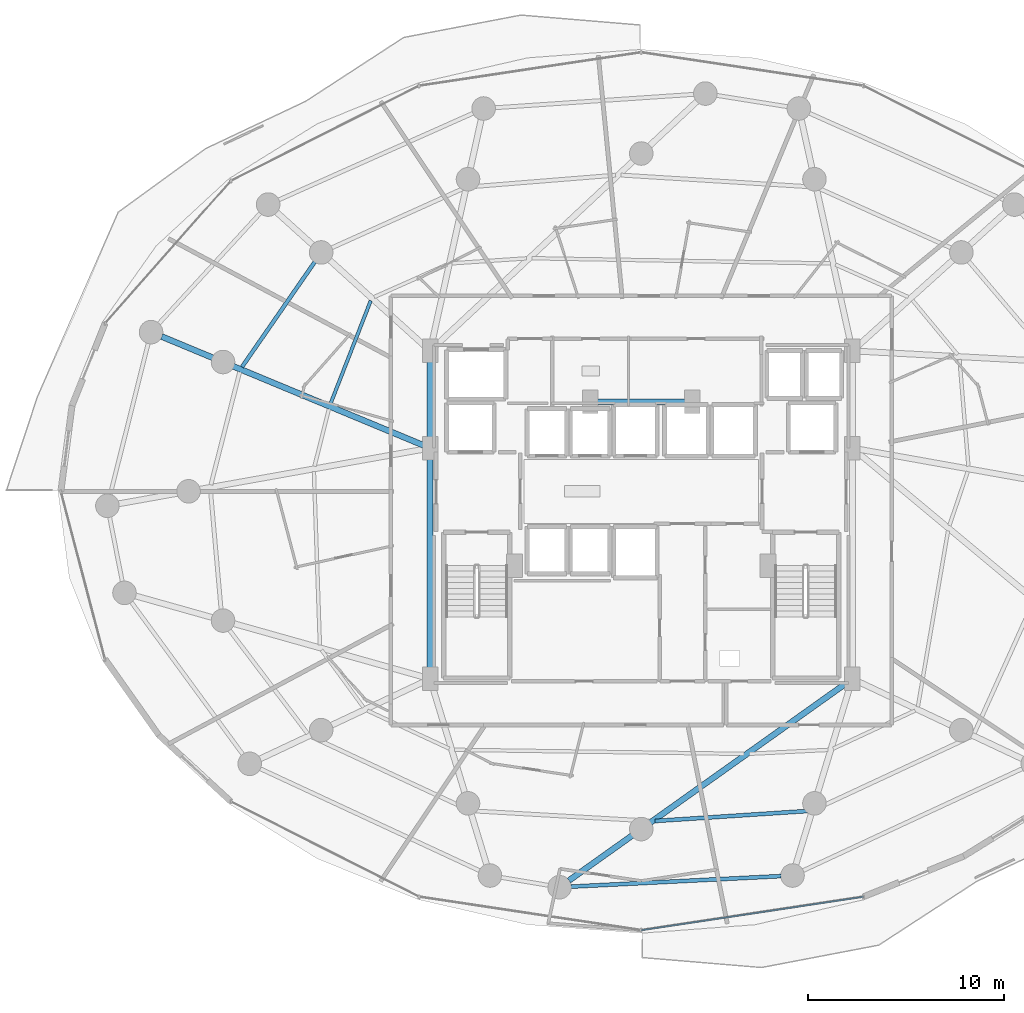
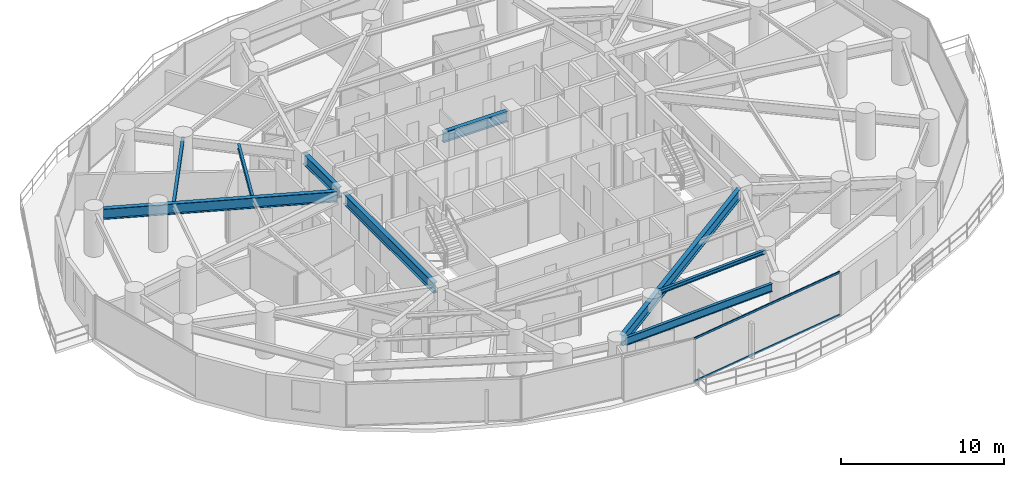
# One storey, part 11 of 34: 9 beams, 2 members, 1 element without a shape of its own.
"""IFC4 building model written with IfcOpenShell, lengths in metres."""

from ifc_helpers import new_model, si_unit, direction, frame, origin, origin_2d, place, context, subcontext, project, spatial, hollow_rectangle, i_section, extrude, material, material_profile, profile_set, type_object, element, aggregate, save


model = new_model("IFC4")

# Units and contexts
model_context = context("Model", 3, precision=1e-05, world=origin(), true_north=direction((0.0, 1.0)))
body_context = subcontext(model_context, "Body", "Model", "MODEL_VIEW")
ifc_project = project(units=[si_unit("LENGTHUNIT", "METRE"), si_unit("AREAUNIT", "SQUARE_METRE"), si_unit("VOLUMEUNIT", "CUBIC_METRE"), si_unit("PLANEANGLEUNIT", "RADIAN"), si_unit("MASSUNIT", "GRAM", prefix="KILO")], contexts=[model_context])

# Site, building, storey
site_placement = place(None, origin())
site = spatial("IfcSite", under=ifc_project, at=site_placement, CompositionType="ELEMENT")
building_placement = place(site_placement, origin())
building = spatial("IfcBuilding", under=site, at=building_placement, Name="Vorneva Point Tower", CompositionType="ELEMENT")
storey_placement = place(building_placement, frame((0.0, 0.0, 62.5)))
storey = spatial("IfcBuildingStorey", under=building, at=storey_placement, Name="L16", CompositionType="ELEMENT", Elevation=62.5)

# Beams
ifc_material_1 = material(Name="Steel S355", Category="steel")
ifc_material_profile_1 = material_profile(ifc_material_1, i_section(OverallWidth=0.300048828125, OverallDepth=0.7880859375, WebThickness=0.014404296875, FlangeThickness=0.02197265625, at=origin_2d()), Name="80Sh1")
ifc_profile_set_1 = profile_set([ifc_material_profile_1], Name="Steel S355")
beam_type_1 = type_object("IfcBeamType", Name="BM-GRD-80Sh1", PredefinedType="USERDEFINED", material=ifc_profile_set_1)
beam_1_placement = place(storey_placement, frame((13.58203125, 33.8798828125, 2.845947265625), z_axis=(0.923441131162, -0.383740116847, 0.0), x_axis=(0.383740116847, 0.923441131162, 0.0)))
element("IfcBeam", 1, at=beam_1_placement, inside=storey, type_object=beam_type_1, Name="L16 Radial Primary Girder 08", ObjectType="GIRDER", PredefinedType="USERDEFINED", context=body_context, shape_type="SweptSolid", body=[
    extrude(i_section(OverallWidth=0.300048828125, OverallDepth=0.7880859375, WebThickness=0.014404296875, FlangeThickness=0.02197265625, at=origin_2d()), origin(), (0.0, 0.0, 1.0), 14.461181640625),
])
beam_2_placement = place(storey_placement, frame((34.319580078125, 6.180908203125, 2.845947265625), z_axis=(0.814753048612, 0.579808131865, 0.0), x_axis=(-0.579808131865, 0.814753048612, 0.0)))
element("IfcBeam", 2, at=beam_2_placement, inside=storey, type_object=beam_type_1, Name="L16 Radial Primary Girder 13", ObjectType="GIRDER", PredefinedType="USERDEFINED", context=body_context, shape_type="SweptSolid", body=[
    extrude(i_section(OverallWidth=0.300048828125, OverallDepth=0.7880859375, WebThickness=0.014404296875, FlangeThickness=0.02197265625, at=origin_2d()), origin(), (0.0, 0.0, 1.0), 17.371337890625),
])
beam_3_placement = place(storey_placement, frame((27.25, 16.77001953125, 2.845947265625), z_axis=(0.0, 1.0, 0.0), x_axis=(-1.0, 0.0, 0.0)))
element("IfcBeam", 3, at=beam_3_placement, inside=storey, type_object=beam_type_1, Name="L16 Core Tie Girder CT1", ObjectType="GIRDER", PredefinedType="USERDEFINED", context=body_context, shape_type="SweptSolid", body=[
    extrude(i_section(OverallWidth=0.300048828125, OverallDepth=0.7880859375, WebThickness=0.014404296875, FlangeThickness=0.02197265625, at=origin_2d()), origin(), (0.0, 0.0, 1.0), 11.10986328125),
])
beam_4_placement = place(storey_placement, frame((27.25, 28.52001953125, 2.845947265625), z_axis=(0.0, 1.0, 0.0), x_axis=(-1.0, 0.0, 0.0)))
element("IfcBeam", 4, at=beam_4_placement, inside=storey, type_object=beam_type_1, Name="L16 Core Tie Girder CT2", ObjectType="GIRDER", PredefinedType="USERDEFINED", context=body_context, shape_type="SweptSolid", body=[
    extrude(i_section(OverallWidth=0.300048828125, OverallDepth=0.7880859375, WebThickness=0.014404296875, FlangeThickness=0.02197265625, at=origin_2d()), origin(), (0.0, 0.0, 1.0), 4.31005859375),
])
beam_5_placement = place(storey_placement, frame((35.719970703125, 30.550048828125, 2.845947265625), z_axis=(1.0, 0.0, 0.0), x_axis=(0.0, 1.0, 0.0)))
element("IfcBeam", 5, at=beam_5_placement, inside=storey, type_object=beam_type_1, Name="L16 Core Tie Girder CT8", ObjectType="GIRDER", PredefinedType="USERDEFINED", context=body_context, shape_type="SweptSolid", body=[
    extrude(i_section(OverallWidth=0.300048828125, OverallDepth=0.7880859375, WebThickness=0.014404296875, FlangeThickness=0.02197265625, at=origin_2d()), origin(), (0.0, 0.0, 1.0), 4.56005859375),
])
ifc_material_profile_2 = material_profile(ifc_material_1, i_section(OverallWidth=0.199951171875, OverallDepth=0.291015625, WebThickness=0.008056640625, FlangeThickness=0.010986328125, at=origin_2d()), Name="30Sh1")
ifc_profile_set_2 = profile_set([ifc_material_profile_2], Name="Steel S355")
beam_type_2 = type_object("IfcBeamType", Name="BM-SEC-30Sh1", PredefinedType="BEAM", material=ifc_profile_set_2)
beam_6_placement = place(storey_placement, frame((21.6279296875, 38.0439453125, 3.094482421875), z_axis=(-0.569598775871, -0.821922888431, 0.0), x_axis=(0.821922888431, -0.569598775871, 0.0)))
element("IfcBeam", 6, at=beam_6_placement, inside=storey, type_object=beam_type_2, Name="L16 Secondary Floor Beam 1.07", PredefinedType="BEAM", context=body_context, shape_type="SweptSolid", body=[
    extrude(i_section(OverallWidth=0.199951171875, OverallDepth=0.291015625, WebThickness=0.008056640625, FlangeThickness=0.010986328125, at=origin_2d()), origin(), (0.0, 0.0, 1.0), 6.953857421875),
])
beam_7_placement = place(storey_placement, frame((38.703369140625, 9.21142578125, 3.094482421875), z_axis=(0.99786056086, 0.065378139167, 0.0), x_axis=(-0.065378139167, 0.99786056086, 0.0)))
element("IfcBeam", 7, at=beam_7_placement, inside=storey, type_object=beam_type_2, Name="L16 Secondary Floor Beam 1.13", PredefinedType="BEAM", context=body_context, shape_type="SweptSolid", body=[
    extrude(i_section(OverallWidth=0.199951171875, OverallDepth=0.291015625, WebThickness=0.008056640625, FlangeThickness=0.010986328125, at=origin_2d()), origin(), (0.0, 0.0, 1.0), 7.883056640625),
])
ifc_material_profile_3 = material_profile(ifc_material_1, i_section(OverallWidth=0.174072265625, OverallDepth=0.345947265625, WebThickness=0.006103515625, FlangeThickness=0.009033203125, at=origin_2d()), Name="35B1")
ifc_profile_set_3 = profile_set([ifc_material_profile_3], Name="Steel S355")
beam_type_3 = type_object("IfcBeamType", Name="BM-SEC-35B1", PredefinedType="BEAM", material=ifc_profile_set_3)
beam_8_placement = place(storey_placement, frame((24.226318359375, 35.707275390625, 3.06689453125), z_axis=(-0.363332491881, -0.931659541004, 0.0), x_axis=(0.931659541004, -0.363332491881, 0.0)))
element("IfcBeam", 8, at=beam_8_placement, inside=storey, type_object=beam_type_3, Name="L16 Secondary Floor Beam 2.07", PredefinedType="BEAM", context=body_context, shape_type="SweptSolid", body=[
    extrude(i_section(OverallWidth=0.174072265625, OverallDepth=0.345947265625, WebThickness=0.006103515625, FlangeThickness=0.009033203125, at=origin_2d()), origin(), (0.0, 0.0, 1.0), 5.6357421875),
])
ifc_material_profile_4 = material_profile(ifc_material_1, i_section(OverallWidth=0.198974609375, OverallDepth=0.595947265625, WebThickness=0.010009765625, FlangeThickness=0.014892578125, at=origin_2d()), Name="60B1")
ifc_profile_set_4 = profile_set([ifc_material_profile_4], Name="Steel S355")
beam_type_4 = type_object("IfcBeamType", Name="BM-SPN-60B1", PredefinedType="SPANDREL", material=ifc_profile_set_4)
beam_9_placement = place(storey_placement, frame((34.4248046875, 5.869140625, 2.94189453125), z_axis=(0.998742254413, 0.050138899561, 0.0), x_axis=(-0.050138899561, 0.998742254413, 0.0)))
element("IfcBeam", 9, at=beam_9_placement, inside=storey, type_object=beam_type_4, Name="L16 Perimeter Spandrel Ring Beam 13", PredefinedType="SPANDREL", context=body_context, shape_type="SweptSolid", body=[
    extrude(i_section(OverallWidth=0.198974609375, OverallDepth=0.595947265625, WebThickness=0.010009765625, FlangeThickness=0.014892578125, at=origin_2d()), origin(), (0.0, 0.0, 1.0), 10.70751953125),
])

# Curtain wall, members
ifc_material_2 = material(Name="Pale anodised aluminium", Category="aluminium")
curtain_wall_type = type_object("IfcCurtainWallType", Name="CW-HTL-SYS", PredefinedType="NOTDEFINED", material=ifc_material_2)
curtain_wall_placement = place(storey_placement, origin())
curtain_wall = element("IfcCurtainWall", 10, at=curtain_wall_placement, inside=storey, type_object=curtain_wall_type, Name="L16 Unitised Curtain Wall CW-L16-R04", PredefinedType="NOTDEFINED")
ifc_material_profile_5 = material_profile(ifc_material_2, hollow_rectangle(XDim=0.074951171875, YDim=0.14990234375, WallThickness=0.00390625, at=origin_2d()), Name="AL-TRN 150x75x4")
ifc_profile_set_5 = profile_set([ifc_material_profile_5], Name="Pale anodised aluminium")
member_type = type_object("IfcMemberType", Name="CW-TRN-150", PredefinedType="USERDEFINED", material=ifc_profile_set_5)
member_1_placement = place(storey_placement, frame((38.0, 3.64990234375, 0.02001953125), z_axis=(0.988870014575, 0.148782036131, 0.0), x_axis=(-0.148782036131, 0.988870014575, 0.0)))
member_1 = element("IfcMember", 11, at=member_1_placement, type_object=member_type, Name="CW-L16-R04 Transom 03.1", ObjectType="TRANSOM", PredefinedType="USERDEFINED", context=body_context, shape_type="SweptSolid", body=[
    extrude(hollow_rectangle(XDim=0.074951171875, YDim=0.14990234375, WallThickness=0.00390625, at=origin_2d()), origin(), (0.0, 0.0, 1.0), 11.435546875),
])
member_2_placement = place(storey_placement, frame((38.0, 3.64990234375, 3.219970703125), z_axis=(0.988870014575, 0.148782036131, 0.0), x_axis=(-0.148782036131, 0.988870014575, 0.0)))
member_2 = element("IfcMember", 12, at=member_2_placement, type_object=member_type, Name="CW-L16-R04 Transom 03.2", ObjectType="TRANSOM", PredefinedType="USERDEFINED", context=body_context, shape_type="SweptSolid", body=[
    extrude(hollow_rectangle(XDim=0.074951171875, YDim=0.14990234375, WallThickness=0.00390625, at=origin_2d()), origin(), (0.0, 0.0, 1.0), 11.435546875),
])
aggregate(curtain_wall, [member_1, member_2])

save(model, "model.ifc")
